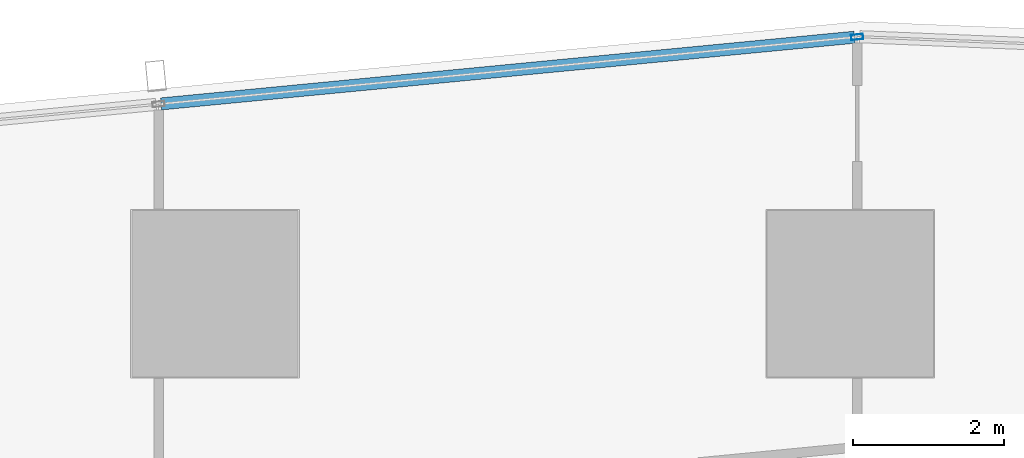
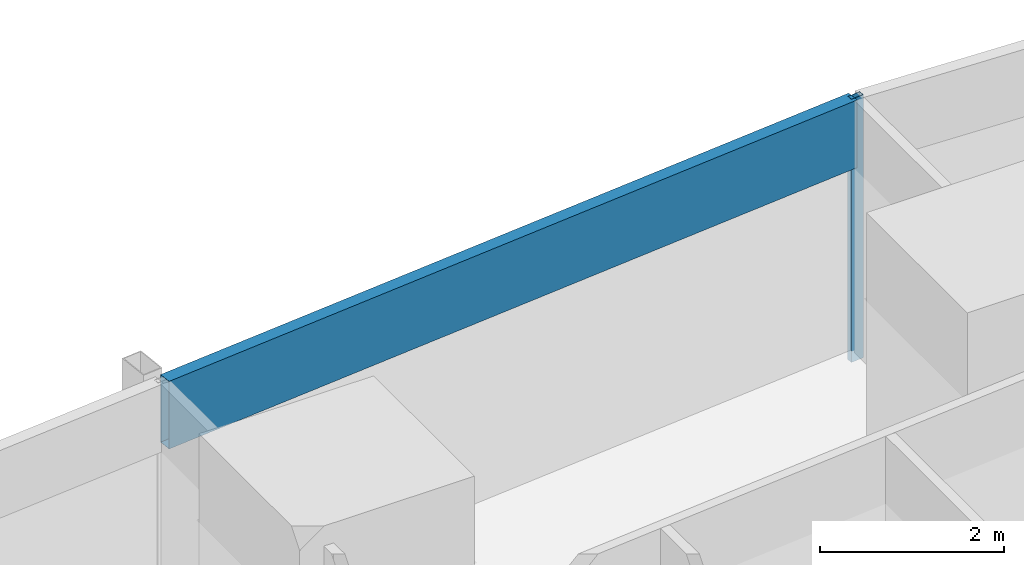
# One storey, part 17 of 44: 2 members, 1 element without a shape of its own.
"""IFC4 building model written with IfcOpenShell, lengths in metres."""

from ifc_helpers import new_model, si_unit, direction, frame, origin, origin_2d, place, context, subcontext, project, spatial, hollow_rectangle, extrude, material, material_profile, profile_set, type_object, element, aggregate, save


model = new_model("IFC4")

# Units and contexts
model_context = context("Model", 3, precision=1e-05, world=origin(), true_north=direction((0.0, 1.0)))
body_context = subcontext(model_context, "Body", "Model", "MODEL_VIEW")
ifc_project = project(units=[si_unit("LENGTHUNIT", "METRE"), si_unit("AREAUNIT", "SQUARE_METRE"), si_unit("VOLUMEUNIT", "CUBIC_METRE"), si_unit("PLANEANGLEUNIT", "RADIAN"), si_unit("MASSUNIT", "GRAM", prefix="KILO")], contexts=[model_context])

# Site, building, storey
site_placement = place(None, origin())
site = spatial("IfcSite", under=ifc_project, at=site_placement, CompositionType="ELEMENT")
building_placement = place(site_placement, origin())
building = spatial("IfcBuilding", under=site, at=building_placement, Name="Rekha Terrace Tower", CompositionType="ELEMENT")
storey_placement = place(building_placement, frame((0.0, 0.0, 74.14990234375)))
storey = spatial("IfcBuildingStorey", under=building, at=storey_placement, Name="L18", CompositionType="ELEMENT", Elevation=74.14990234375)

# Curtain wall, members
ifc_material_1 = material(Name="Aluminium framing", Category="aluminium")
curtain_wall_type = type_object("IfcCurtainWallType", Name="CW3 north unitised glazing", PredefinedType="USERDEFINED", material=ifc_material_1)
curtain_wall_placement = place(storey_placement, origin())
curtain_wall = element("IfcCurtainWall", 1, at=curtain_wall_placement, inside=storey, type_object=curtain_wall_type, Name="CW3 unitised curtain wall", ObjectType="UNITISED CURTAIN WALL", PredefinedType="USERDEFINED")
ifc_material_2 = material(Name="Aluminium mullion section", Category="aluminium")
ifc_material_profile_1 = material_profile(ifc_material_2, hollow_rectangle(XDim=0.070068359375, YDim=0.159912109375, WallThickness=0.00390625, at=origin_2d()), Name="AL RHS 70x160")
ifc_profile_set_1 = profile_set([ifc_material_profile_1], Name="Aluminium mullion section")
member_type_1 = type_object("IfcMemberType", Name="CW3 mullion RHS 70 x 160", PredefinedType="MULLION", material=ifc_profile_set_1)
member_1_placement = place(storey_placement, frame((25.29052734375, 62.1962890625, 0.0), z_axis=(0.0, 0.0, 1.0), x_axis=(0.095712406625, -0.995409029102, 0.0)))
member_1 = element("IfcMember", 2, at=member_1_placement, type_object=member_type_1, Name="CW3 mullion 1", PredefinedType="MULLION", context=body_context, shape_type="SweptSolid", body=[
    extrude(hollow_rectangle(XDim=0.070068359375, YDim=0.159912109375, WallThickness=0.00390625, at=origin_2d()), origin(), (0.0, 0.0, 1.0), 3.5),
])
ifc_material_3 = material(Name="Insulated aluminium spandrel box", Category="aluminium")
ifc_material_profile_2 = material_profile(ifc_material_3, hollow_rectangle(XDim=0.159912109375, YDim=0.89990234375, WallThickness=0.0029296875, at=origin_2d()), Name="AL SPANDREL BOX 160x900")
ifc_profile_set_2 = profile_set([ifc_material_profile_2], Name="Insulated aluminium spandrel box")
member_type_2 = type_object("IfcMemberType", Name="CW3 spandrel transom 160 x 900", PredefinedType="USERDEFINED", material=ifc_profile_set_2)
member_2_placement = place(storey_placement, frame((25.255859375, 62.19287109375, 3.050048828125), z_axis=(-0.995408446287, -0.095718467713, 0.0), x_axis=(0.095718467713, -0.995408446287, 0.0)))
member_2 = element("IfcMember", 3, at=member_2_placement, type_object=member_type_2, Name="CW3 spandrel transom 1", ObjectType="TRANSOM", PredefinedType="USERDEFINED", context=body_context, shape_type="SweptSolid", body=[
    extrude(hollow_rectangle(XDim=0.159912109375, YDim=0.89990234375, WallThickness=0.0029296875, at=origin_2d()), origin(), (0.0, 0.0, 1.0), 9.210205078125),
])
aggregate(curtain_wall, [member_1, member_2])

save(model, "model.ifc")
